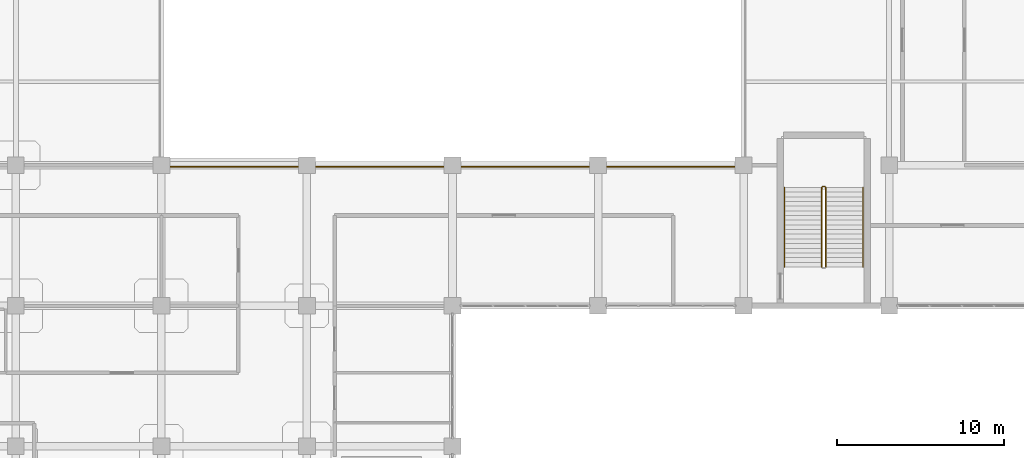
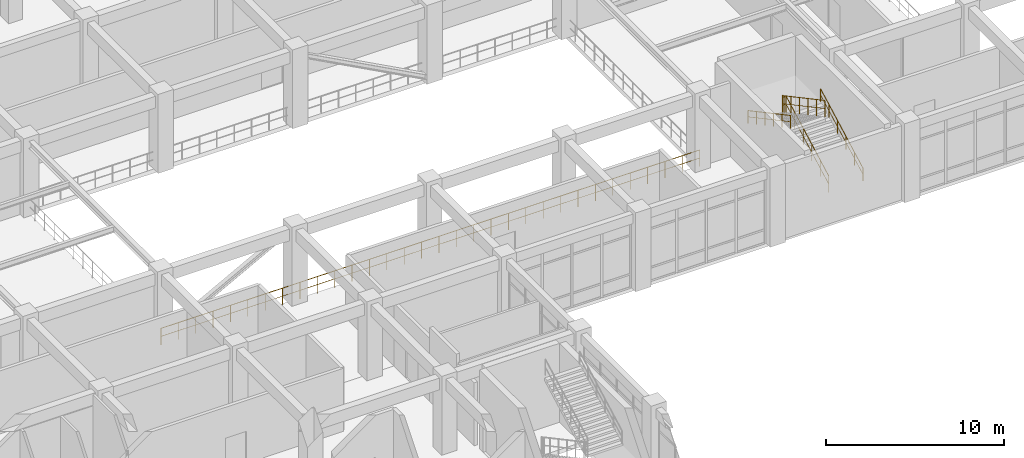
# One storey, part 107 of 114: 6 railings.
"""IFC4 building model written with IfcOpenShell, lengths in metres."""

from ifc_helpers import new_model, si_unit, derived_unit, direction, frame, origin, origin_2d, place, context, subcontext, project, spatial, circle, extrude, material, type_object, element, save


model = new_model("IFC4")

# Units and contexts
model_context = context("Model", 3, precision=1e-05, world=origin(), true_north=direction((0.0, 1.0)))
body_context = subcontext(model_context, "Body", "Model", "MODEL_VIEW")
ifc_project = project(units=[si_unit("LENGTHUNIT", "METRE"), si_unit("AREAUNIT", "SQUARE_METRE"), si_unit("VOLUMEUNIT", "CUBIC_METRE"), si_unit("PLANEANGLEUNIT", "RADIAN"), si_unit("MASSUNIT", "GRAM", prefix="KILO"), derived_unit("THERMALTRANSMITTANCEUNIT", [(si_unit("MASSUNIT", "GRAM", prefix="KILO"), 1), (si_unit("TIMEUNIT", "SECOND"), -3), (si_unit("THERMODYNAMICTEMPERATUREUNIT", "KELVIN"), -1)])], contexts=[model_context])

# Site, building, storey
site_placement = place(None, origin())
site = spatial("IfcSite", under=ifc_project, at=site_placement, CompositionType="ELEMENT")
building_placement = place(site_placement, origin())
building = spatial("IfcBuilding", under=site, at=building_placement, Name="Qinzheling Arcade Emporium", CompositionType="ELEMENT")
storey_placement = place(building_placement, frame((0.0, 0.0, 6.0)))
storey = spatial("IfcBuildingStorey", under=building, at=storey_placement, Name="L02", CompositionType="ELEMENT", Elevation=6.0)

# Railings
ifc_material_1 = material(Name="Galvanised powder-coated tubular steel", Category="steel")
railing_type_1 = type_object("IfcRailingType", Name="Painted Steel Stairwell Guard Railing 1150", PredefinedType="GUARDRAIL", material=ifc_material_1)
railing_1_placement = place(storey_placement, frame((91.919921875, 44.320068359375, 0.14990234375)))
element("IfcRailing", 1, at=railing_1_placement, inside=storey, type_object=railing_type_1, Name="L02 ST04 stair guard 1", PredefinedType="GUARDRAIL", context=body_context, shape_type="SweptSolid", body=[
    extrude(circle(Radius=0.02392578125, at=origin_2d()), frame((0.0, 0.0, 1.1259765625), z_axis=(0.0, 0.881476609435, 0.47222768557), x_axis=(-1.0, 0.0, 0.0)), (0.0, 0.0, 1.0), 5.400146484375),
    extrude(circle(Radius=0.01611328125, at=origin_2d()), frame((0.0, 0.0, 0.574951171875), z_axis=(0.0, 0.881476609435, 0.47222768557), x_axis=(-1.0, 0.0, 0.0)), (0.0, 0.0, 1.0), 5.400146484375),
    extrude(circle(Radius=0.02099609375, at=origin_2d()), origin(), (0.0, 0.0, 1.0), 1.101806640625),
    extrude(circle(Radius=0.02099609375, at=origin_2d()), frame((0.0, 0.951904296875, 0.510009765625)), (0.0, 0.0, 1.0), 1.101806640625),
    extrude(circle(Radius=0.02099609375, at=origin_2d()), frame((0.0, 1.904052734375, 1.02001953125)), (0.0, 0.0, 1.0), 1.101806640625),
    extrude(circle(Radius=0.02099609375, at=origin_2d()), frame((0.0, 2.85595703125, 1.530029296875)), (0.0, 0.0, 1.0), 1.101806640625),
    extrude(circle(Radius=0.02099609375, at=origin_2d()), frame((0.0, 3.80810546875, 2.0400390625)), (0.0, 0.0, 1.0), 1.101806640625),
    extrude(circle(Radius=0.02099609375, at=origin_2d()), frame((0.0, 4.760009765625, 2.550048828125)), (0.0, 0.0, 1.0), 1.101806640625),
])
railing_2_placement = place(storey_placement, frame((91.8701171875, 49.1298828125, 2.699951171875)))
element("IfcRailing", 2, at=railing_2_placement, inside=storey, type_object=railing_type_1, Name="L02 ST04 stair guard 2", PredefinedType="GUARDRAIL", context=body_context, shape_type="SweptSolid", body=[
    extrude(circle(Radius=0.02392578125, at=origin_2d()), frame((0.0, 0.0, 1.1259765625), z_axis=(-1.0, 0.0, 0.0), x_axis=(0.0, -1.0, 0.0)), (0.0, 0.0, 1.0), 0.150146484375),
    extrude(circle(Radius=0.01611328125, at=origin_2d()), frame((0.0, 0.0, 0.574951171875), z_axis=(-1.0, 0.0, 0.0), x_axis=(0.0, -1.0, 0.0)), (0.0, 0.0, 1.0), 0.150146484375),
    extrude(circle(Radius=0.02099609375, at=origin_2d()), origin(), (0.0, 0.0, 1.0), 1.101806640625),
    extrude(circle(Radius=0.02099609375, at=origin_2d()), frame((-0.150146484375, 0.0, 0.0)), (0.0, 0.0, 1.0), 1.101806640625),
])
railing_3_placement = place(storey_placement, frame((91.669921875, 49.080078125, 2.85009765625)))
element("IfcRailing", 3, at=railing_3_placement, inside=storey, type_object=railing_type_1, Name="L02 ST04 stair guard 3", PredefinedType="GUARDRAIL", context=body_context, shape_type="SweptSolid", body=[
    extrude(circle(Radius=0.02392578125, at=origin_2d()), frame((0.0, 0.0, 1.1259765625), z_axis=(0.0, -0.881495428514, 0.472192555542), x_axis=(1.0, 0.0, 0.0)), (0.0, 0.0, 1.0), 5.39990234375),
    extrude(circle(Radius=0.01611328125, at=origin_2d()), frame((0.0, 0.0, 0.574951171875), z_axis=(0.0, -0.881495428514, 0.472192555542), x_axis=(1.0, 0.0, 0.0)), (0.0, 0.0, 1.0), 5.39990234375),
    extrude(circle(Radius=0.02099609375, at=origin_2d()), origin(), (0.0, 0.0, 1.0), 1.101806640625),
    extrude(circle(Radius=0.02099609375, at=origin_2d()), frame((0.0, -0.951904296875, 0.510009765625)), (0.0, 0.0, 1.0), 1.101806640625),
    extrude(circle(Radius=0.02099609375, at=origin_2d()), frame((0.0, -1.904052734375, 1.02001953125)), (0.0, 0.0, 1.0), 1.101806640625),
    extrude(circle(Radius=0.02099609375, at=origin_2d()), frame((0.0, -2.85595703125, 1.52978515625)), (0.0, 0.0, 1.0), 1.101806640625),
    extrude(circle(Radius=0.02099609375, at=origin_2d()), frame((0.0, -3.80810546875, 2.039794921875)), (0.0, 0.0, 1.0), 1.101806640625),
    extrude(circle(Radius=0.02099609375, at=origin_2d()), frame((0.0, -4.760009765625, 2.5498046875)), (0.0, 0.0, 1.0), 1.101806640625),
])
railing_4_placement = place(storey_placement, frame((52.169921875, 50.320068359375, 0.0)))
element("IfcRailing", 4, at=railing_4_placement, inside=storey, type_object=railing_type_1, Name="Atrium Void Guard L02 S", PredefinedType="GUARDRAIL", context=body_context, shape_type="SweptSolid", body=[
    extrude(circle(Radius=0.02392578125, at=origin_2d()), frame((0.0, 0.0, 1.1259765625), z_axis=(1.0, 0.0, 0.0), x_axis=(0.0, 1.0, 0.0)), (0.0, 0.0, 1.0), 34.860107421875),
    extrude(circle(Radius=0.01611328125, at=origin_2d()), frame((0.0, 0.0, 0.574951171875), z_axis=(1.0, 0.0, 0.0), x_axis=(0.0, 1.0, 0.0)), (0.0, 0.0, 1.0), 34.860107421875),
    extrude(circle(Radius=0.02099609375, at=origin_2d()), origin(), (0.0, 0.0, 1.0), 1.101806640625),
    extrude(circle(Radius=0.02099609375, at=origin_2d()), frame((1.12451171875, 0.0, 0.0)), (0.0, 0.0, 1.0), 1.101806640625),
    extrude(circle(Radius=0.02099609375, at=origin_2d()), frame((2.2490234375, 0.0, 0.0)), (0.0, 0.0, 1.0), 1.101806640625),
    extrude(circle(Radius=0.02099609375, at=origin_2d()), frame((3.37353515625, 0.0, 0.0)), (0.0, 0.0, 1.0), 1.101806640625),
    extrude(circle(Radius=0.02099609375, at=origin_2d()), frame((4.498046875, 0.0, 0.0)), (0.0, 0.0, 1.0), 1.101806640625),
    extrude(circle(Radius=0.02099609375, at=origin_2d()), frame((5.62255859375, 0.0, 0.0)), (0.0, 0.0, 1.0), 1.101806640625),
    extrude(circle(Radius=0.02099609375, at=origin_2d()), frame((6.7470703125, 0.0, 0.0)), (0.0, 0.0, 1.0), 1.101806640625),
    extrude(circle(Radius=0.02099609375, at=origin_2d()), frame((7.87158203125, 0.0, 0.0)), (0.0, 0.0, 1.0), 1.101806640625),
    extrude(circle(Radius=0.02099609375, at=origin_2d()), frame((8.99609375, 0.0, 0.0)), (0.0, 0.0, 1.0), 1.101806640625),
    extrude(circle(Radius=0.02099609375, at=origin_2d()), frame((10.12060546875, 0.0, 0.0)), (0.0, 0.0, 1.0), 1.101806640625),
    extrude(circle(Radius=0.02099609375, at=origin_2d()), frame((11.2451171875, 0.0, 0.0)), (0.0, 0.0, 1.0), 1.101806640625),
    extrude(circle(Radius=0.02099609375, at=origin_2d()), frame((12.36962890625, 0.0, 0.0)), (0.0, 0.0, 1.0), 1.101806640625),
    extrude(circle(Radius=0.02099609375, at=origin_2d()), frame((13.494140625, 0.0, 0.0)), (0.0, 0.0, 1.0), 1.101806640625),
    extrude(circle(Radius=0.02099609375, at=origin_2d()), frame((14.61865234375, 0.0, 0.0)), (0.0, 0.0, 1.0), 1.101806640625),
    extrude(circle(Radius=0.02099609375, at=origin_2d()), frame((15.7431640625, 0.0, 0.0)), (0.0, 0.0, 1.0), 1.101806640625),
    extrude(circle(Radius=0.02099609375, at=origin_2d()), frame((16.86767578125, 0.0, 0.0)), (0.0, 0.0, 1.0), 1.101806640625),
    extrude(circle(Radius=0.02099609375, at=origin_2d()), frame((17.992431640625, 0.0, 0.0)), (0.0, 0.0, 1.0), 1.101806640625),
    extrude(circle(Radius=0.02099609375, at=origin_2d()), frame((19.116943359375, 0.0, 0.0)), (0.0, 0.0, 1.0), 1.101806640625),
    extrude(circle(Radius=0.02099609375, at=origin_2d()), frame((20.241455078125, 0.0, 0.0)), (0.0, 0.0, 1.0), 1.101806640625),
    extrude(circle(Radius=0.02099609375, at=origin_2d()), frame((21.365966796875, 0.0, 0.0)), (0.0, 0.0, 1.0), 1.101806640625),
    extrude(circle(Radius=0.02099609375, at=origin_2d()), frame((22.490478515625, 0.0, 0.0)), (0.0, 0.0, 1.0), 1.101806640625),
    extrude(circle(Radius=0.02099609375, at=origin_2d()), frame((23.614990234375, 0.0, 0.0)), (0.0, 0.0, 1.0), 1.101806640625),
    extrude(circle(Radius=0.02099609375, at=origin_2d()), frame((24.739501953125, 0.0, 0.0)), (0.0, 0.0, 1.0), 1.101806640625),
    extrude(circle(Radius=0.02099609375, at=origin_2d()), frame((25.864013671875, 0.0, 0.0)), (0.0, 0.0, 1.0), 1.101806640625),
    extrude(circle(Radius=0.02099609375, at=origin_2d()), frame((26.988525390625, 0.0, 0.0)), (0.0, 0.0, 1.0), 1.101806640625),
    extrude(circle(Radius=0.02099609375, at=origin_2d()), frame((28.113037109375, 0.0, 0.0)), (0.0, 0.0, 1.0), 1.101806640625),
    extrude(circle(Radius=0.02099609375, at=origin_2d()), frame((29.237548828125, 0.0, 0.0)), (0.0, 0.0, 1.0), 1.101806640625),
    extrude(circle(Radius=0.02099609375, at=origin_2d()), frame((30.362060546875, 0.0, 0.0)), (0.0, 0.0, 1.0), 1.101806640625),
    extrude(circle(Radius=0.02099609375, at=origin_2d()), frame((31.486572265625, 0.0, 0.0)), (0.0, 0.0, 1.0), 1.101806640625),
    extrude(circle(Radius=0.02099609375, at=origin_2d()), frame((32.611083984375, 0.0, 0.0)), (0.0, 0.0, 1.0), 1.101806640625),
    extrude(circle(Radius=0.02099609375, at=origin_2d()), frame((33.735595703125, 0.0, 0.0)), (0.0, 0.0, 1.0), 1.101806640625),
    extrude(circle(Radius=0.02099609375, at=origin_2d()), frame((34.860107421875, 0.0, 0.0)), (0.0, 0.0, 1.0), 1.101806640625),
])
ifc_material_2 = material(Name="Brushed stainless steel 304", Category="steel")
railing_type_2 = type_object("IfcRailingType", Name="Stainless Steel Wall Handrail 900", PredefinedType="HANDRAIL", material=ifc_material_2)
railing_5_placement = place(storey_placement, frame((94.139892578125, 44.320068359375, 0.14990234375)))
element("IfcRailing", 5, at=railing_5_placement, inside=storey, type_object=railing_type_2, Name="L02 ST04 stair handrail 1", PredefinedType="HANDRAIL", context=body_context, shape_type="SweptSolid", body=[
    extrude(circle(Radius=0.02392578125, at=origin_2d()), frame((0.0, 0.0, 0.8759765625), z_axis=(0.0, 0.881476609435, 0.47222768557), x_axis=(-1.0, 0.0, 0.0)), (0.0, 0.0, 1.0), 5.400146484375),
    extrude(circle(Radius=0.01611328125, at=origin_2d()), frame((0.0, 0.0, 0.449951171875), z_axis=(0.0, 0.881476609435, 0.47222768557), x_axis=(-1.0, 0.0, 0.0)), (0.0, 0.0, 1.0), 5.400146484375),
    extrude(circle(Radius=0.02099609375, at=origin_2d()), origin(), (0.0, 0.0, 1.0), 0.851806640625),
    extrude(circle(Radius=0.02099609375, at=origin_2d()), frame((0.0, 0.951904296875, 0.510009765625)), (0.0, 0.0, 1.0), 0.851806640625),
    extrude(circle(Radius=0.02099609375, at=origin_2d()), frame((0.0, 1.904052734375, 1.02001953125)), (0.0, 0.0, 1.0), 0.851806640625),
    extrude(circle(Radius=0.02099609375, at=origin_2d()), frame((0.0, 2.85595703125, 1.530029296875)), (0.0, 0.0, 1.0), 0.851806640625),
    extrude(circle(Radius=0.02099609375, at=origin_2d()), frame((0.0, 3.80810546875, 2.0400390625)), (0.0, 0.0, 1.0), 0.851806640625),
    extrude(circle(Radius=0.02099609375, at=origin_2d()), frame((0.0, 4.760009765625, 2.550048828125)), (0.0, 0.0, 1.0), 0.851806640625),
])
railing_6_placement = place(storey_placement, frame((89.449951171875, 49.080078125, 2.85009765625)))
element("IfcRailing", 6, at=railing_6_placement, inside=storey, type_object=railing_type_2, Name="L02 ST04 stair handrail 2", PredefinedType="HANDRAIL", context=body_context, shape_type="SweptSolid", body=[
    extrude(circle(Radius=0.02392578125, at=origin_2d()), frame((0.0, 0.0, 0.8759765625), z_axis=(0.0, -0.881495428514, 0.472192555542), x_axis=(1.0, 0.0, 0.0)), (0.0, 0.0, 1.0), 5.39990234375),
    extrude(circle(Radius=0.01611328125, at=origin_2d()), frame((0.0, 0.0, 0.449951171875), z_axis=(0.0, -0.881495428514, 0.472192555542), x_axis=(1.0, 0.0, 0.0)), (0.0, 0.0, 1.0), 5.39990234375),
    extrude(circle(Radius=0.02099609375, at=origin_2d()), origin(), (0.0, 0.0, 1.0), 0.851806640625),
    extrude(circle(Radius=0.02099609375, at=origin_2d()), frame((0.0, -0.951904296875, 0.510009765625)), (0.0, 0.0, 1.0), 0.851806640625),
    extrude(circle(Radius=0.02099609375, at=origin_2d()), frame((0.0, -1.904052734375, 1.02001953125)), (0.0, 0.0, 1.0), 0.851806640625),
    extrude(circle(Radius=0.02099609375, at=origin_2d()), frame((0.0, -2.85595703125, 1.52978515625)), (0.0, 0.0, 1.0), 0.851806640625),
    extrude(circle(Radius=0.02099609375, at=origin_2d()), frame((0.0, -3.80810546875, 2.039794921875)), (0.0, 0.0, 1.0), 0.851806640625),
    extrude(circle(Radius=0.02099609375, at=origin_2d()), frame((0.0, -4.760009765625, 2.5498046875)), (0.0, 0.0, 1.0), 0.851806640625),
])

save(model, "model.ifc")
